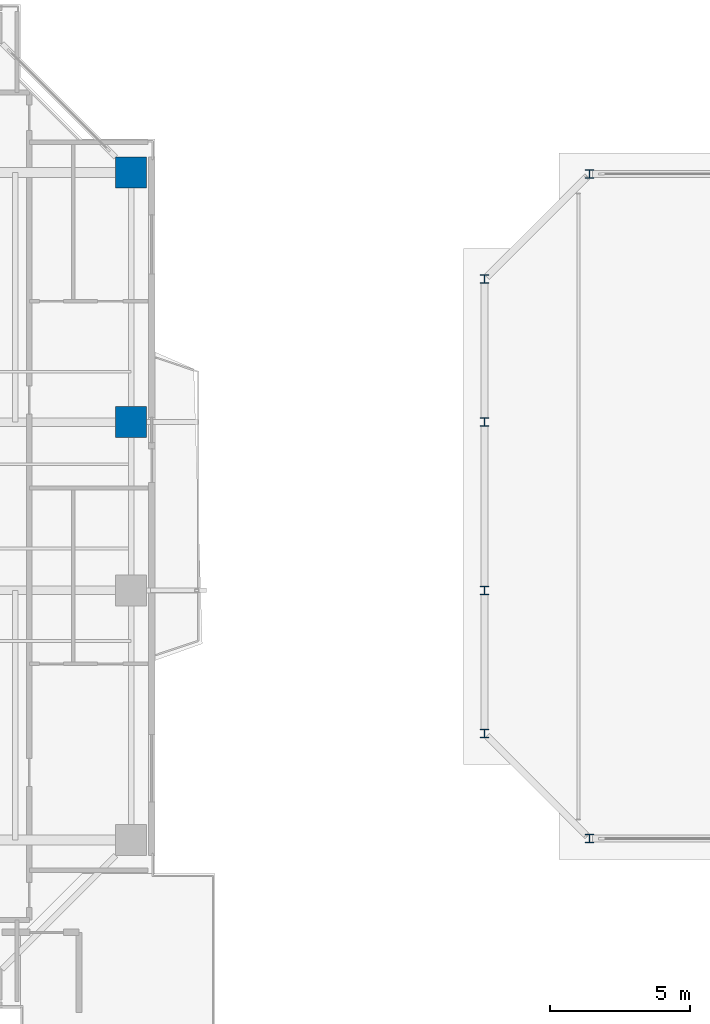
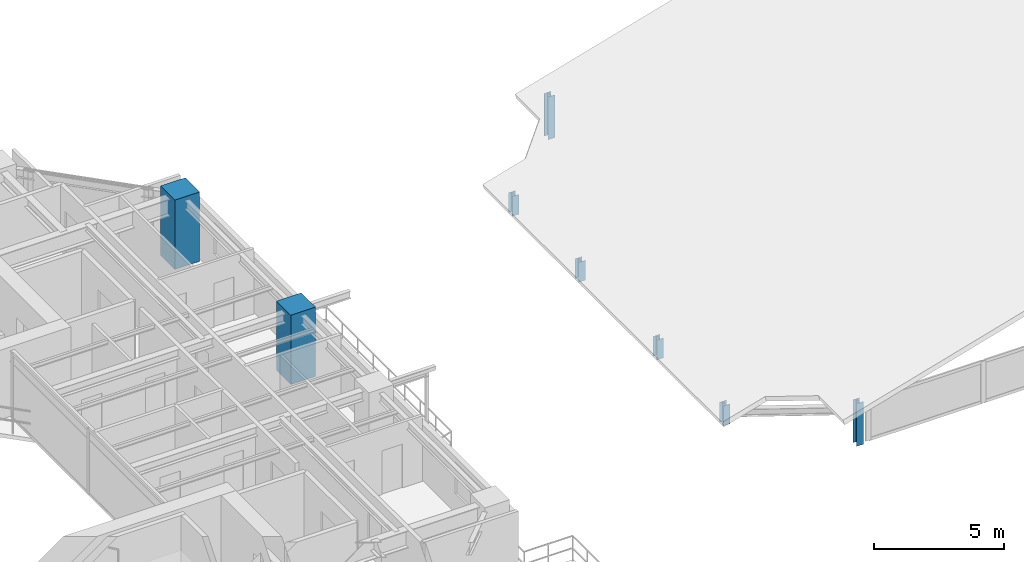
# One storey, part 2 of 28: 8 columns.
"""IFC4 building model written with IfcOpenShell, lengths in metres."""

from ifc_helpers import new_model, si_unit, direction, frame, origin, origin_2d, place, context, subcontext, project, spatial, rectangle, i_section, extrude, source, transform, mapped, material, material_profile, profile_set, type_object, element, save


model = new_model("IFC4")

# Units and contexts
model_context = context("Model", 3, precision=1e-05, world=origin(), true_north=direction((0.0, 1.0)))
body_context = subcontext(model_context, "Body", "Model", "MODEL_VIEW")
ifc_project = project(units=[si_unit("LENGTHUNIT", "METRE"), si_unit("AREAUNIT", "SQUARE_METRE"), si_unit("VOLUMEUNIT", "CUBIC_METRE"), si_unit("PLANEANGLEUNIT", "RADIAN"), si_unit("MASSUNIT", "GRAM", prefix="KILO"), si_unit("THERMODYNAMICTEMPERATUREUNIT", "KELVIN"), si_unit("POWERUNIT", "WATT")], contexts=[model_context])

# Site, building, storey
site_placement = place(None, origin())
site = spatial("IfcSite", under=ifc_project, at=site_placement, CompositionType="ELEMENT")
building_placement = place(site_placement, origin())
building = spatial("IfcBuilding", under=site, at=building_placement, Name="Qiaomeng Ring Towers", CompositionType="ELEMENT")
storey_placement = place(building_placement, frame((0.0, 0.0, 113.25)))
storey = spatial("IfcBuildingStorey", under=building, at=storey_placement, Name="L32", CompositionType="ELEMENT", Elevation=113.25)

# Columns
ifc_material_1 = material(Name="Concrete C55", Category="concrete")
ifc_material_profile_1 = material_profile(ifc_material_1, rectangle(XDim=1.10009765625, YDim=1.10009765625, at=origin_2d()), Name="RC COL 1100x1100")
ifc_profile_set_1 = profile_set([ifc_material_profile_1], Name="Concrete C55")
column_type_1 = type_object("IfcColumnType", Name="STR-COL-1100-C55", PredefinedType="COLUMN", material=ifc_profile_set_1)
shared_shape_1 = source(origin(), body_context, "Body", "SweptSolid", [
    extrude(rectangle(XDim=1.10009765625, YDim=1.10009765625, at=origin_2d()), origin(), (0.0, 0.0, 1.0), 3.25),
])
for number, where, z_axis, x_axis, name in (
    (1, (36.050048828125, 26.0, 0.0), (0.0, 0.0, 1.0), (1.0, 0.0, 0.0), "L32 column STR-COL-L32-T1-E3"),
    (2, (36.050048828125, 34.89990234375, 0.0), (0.0, 0.0, 1.0), (1.0, 0.0, 0.0), "L32 column STR-COL-L32-T1-E4"),
):
    element("IfcColumn", number, at=place(storey_placement, frame(where, z_axis=z_axis, x_axis=x_axis)), inside=storey, type_object=column_type_1, Name=name, PredefinedType="COLUMN", context=body_context, shape_type="MappedRepresentation", body=[
        mapped(shared_shape_1, transform((0.0, 0.0, 0.0), x_axis=(1.0, 0.0, 0.0), y_axis=(0.0, 1.0, 0.0), z_axis=(0.0, 0.0, 1.0), scale=1.0)),
    ])
ifc_material_2 = material(Name="Steel Q355B", Category="steel")
ifc_material_profile_2 = material_profile(ifc_material_2, i_section(OverallWidth=0.300048828125, OverallDepth=0.300048828125, WebThickness=0.010009765625, FlangeThickness=0.014892578125, FilletRadius=0.01806640625, at=origin_2d()), Name="HW 300x300x10x15")
ifc_profile_set_2 = profile_set([ifc_material_profile_2], Name="Steel Q355B")
column_type_2 = type_object("IfcColumnType", Name="STR-COL-HW300", PredefinedType="COLUMN", material=ifc_profile_set_2)
shared_shape_2 = source(origin(), body_context, "Body", "SweptSolid", [
    extrude(i_section(OverallWidth=0.300048828125, OverallDepth=0.300048828125, WebThickness=0.010009765625, FlangeThickness=0.014892578125, FilletRadius=0.01806640625, at=origin_2d()), origin(), (0.0, 0.0, 1.0), 2.00048828125),
])
for number, where, z_axis, x_axis, name in (
    (3, (52.39990234375, 11.14990234375, 0.0), (0.0, 0.0, 1.0), (1.0, 0.0, 0.0), "Companion Crown Column S1"),
    (4, (52.39990234375, 34.85009765625, 0.0), (0.0, 0.0, 1.0), (1.0, 0.0, 0.0), "Companion Crown Column N1"),
):
    element("IfcColumn", number, at=place(storey_placement, frame(where, z_axis=z_axis, x_axis=x_axis)), inside=storey, type_object=column_type_2, Name=name, PredefinedType="COLUMN", context=body_context, shape_type="MappedRepresentation", body=[
        mapped(shared_shape_2, transform((0.0, 0.0, 0.0), x_axis=(1.0, 0.0, 0.0), y_axis=(0.0, 1.0, 0.0), z_axis=(0.0, 0.0, 1.0), scale=1.0)),
    ])
shared_shape_3 = source(origin(), body_context, "Body", "SweptSolid", [
    extrude(i_section(OverallWidth=0.300048828125, OverallDepth=0.300048828125, WebThickness=0.010009765625, FlangeThickness=0.014892578125, FilletRadius=0.01806640625, at=origin_2d()), origin(), (0.0, 0.0, 1.0), 0.925048828125),
])
for number, where, z_axis, x_axis, name in (
    (5, (48.64990234375, 14.89990234375, 0.0), (0.0, 0.0, 1.0), (1.0, 0.0, 0.0), "Companion Crown Column W1"),
    (6, (48.64990234375, 20.0, 0.0), (0.0, 0.0, 1.0), (1.0, 0.0, 0.0), "Companion Crown Column W2"),
    (7, (48.64990234375, 26.0, 0.0), (0.0, 0.0, 1.0), (1.0, 0.0, 0.0), "Companion Crown Column W3"),
    (8, (48.64990234375, 31.10009765625, 0.0), (0.0, 0.0, 1.0), (1.0, 0.0, 0.0), "Companion Crown Column W4"),
):
    element("IfcColumn", number, at=place(storey_placement, frame(where, z_axis=z_axis, x_axis=x_axis)), inside=storey, type_object=column_type_2, Name=name, PredefinedType="COLUMN", context=body_context, shape_type="MappedRepresentation", body=[
        mapped(shared_shape_3, transform((0.0, 0.0, 0.0), x_axis=(1.0, 0.0, 0.0), y_axis=(0.0, 1.0, 0.0), z_axis=(0.0, 0.0, 1.0), scale=1.0)),
    ])

save(model, "model.ifc")
